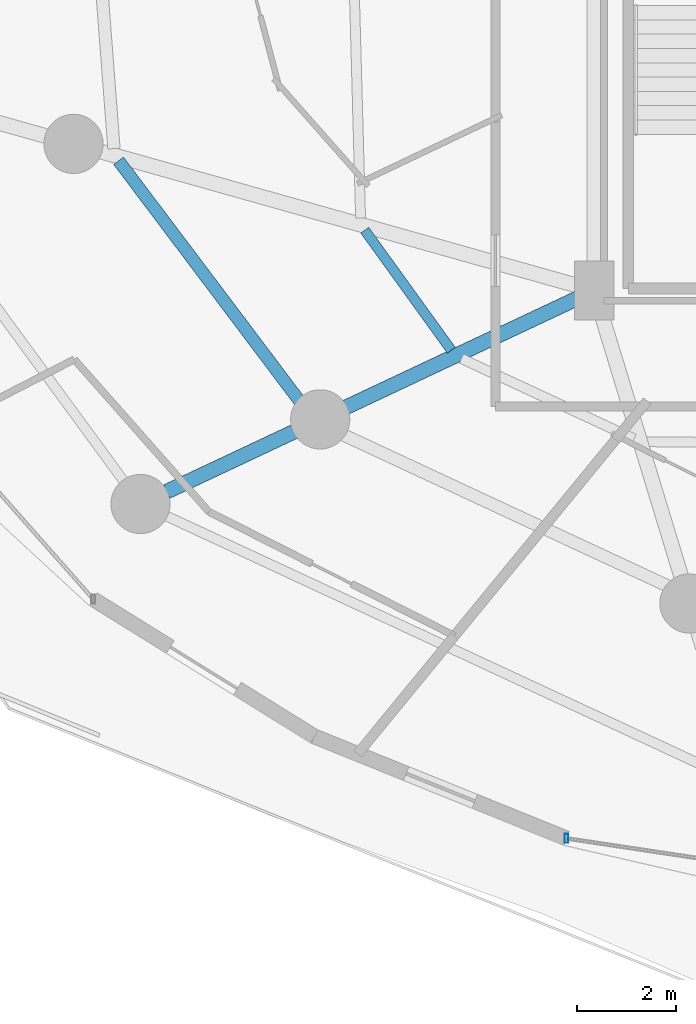
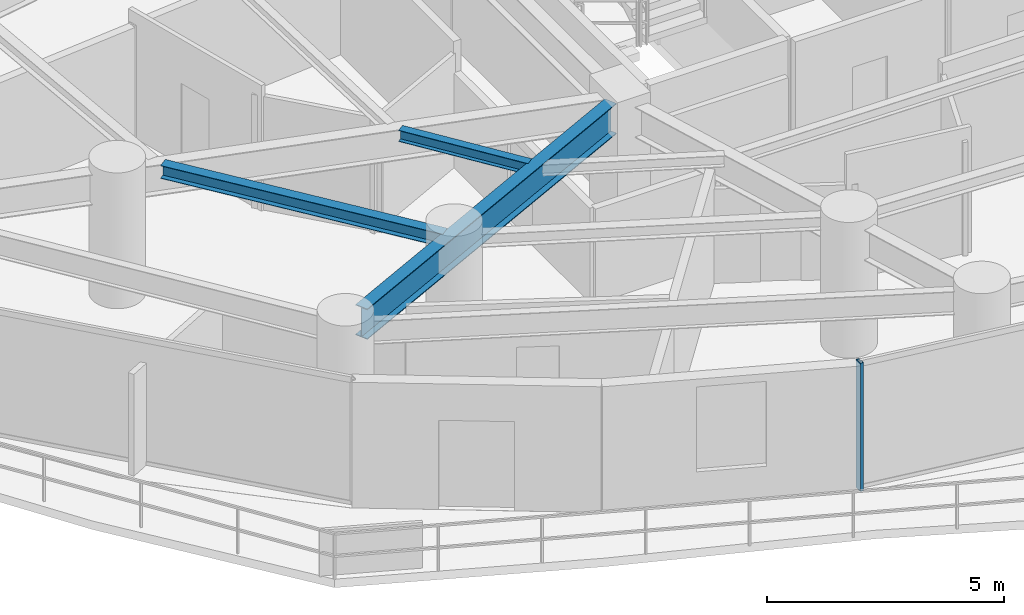
# One storey, part 4 of 30: 3 beams, 1 member, 1 element without a shape of its own.
"""IFC4 building model written with IfcOpenShell, lengths in metres."""

from ifc_helpers import new_model, si_unit, direction, frame, origin, origin_2d, place, context, subcontext, project, spatial, hollow_rectangle, i_section, extrude, material, material_profile, profile_set, type_object, element, aggregate, save


model = new_model("IFC4")

# Units and contexts
model_context = context("Model", 3, precision=1e-05, world=origin(), true_north=direction((0.0, 1.0)))
body_context = subcontext(model_context, "Body", "Model", "MODEL_VIEW")
ifc_project = project(units=[si_unit("LENGTHUNIT", "METRE"), si_unit("AREAUNIT", "SQUARE_METRE"), si_unit("VOLUMEUNIT", "CUBIC_METRE"), si_unit("PLANEANGLEUNIT", "RADIAN"), si_unit("MASSUNIT", "GRAM", prefix="KILO")], contexts=[model_context])

# Site, building, storey
site_placement = place(None, origin())
site = spatial("IfcSite", under=ifc_project, at=site_placement, CompositionType="ELEMENT")
building_placement = place(site_placement, origin())
building = spatial("IfcBuilding", under=site, at=building_placement, Name="Vorneva Point Tower", CompositionType="ELEMENT")
storey_placement = place(building_placement, frame((0.0, 0.0, 55.5)))
storey = spatial("IfcBuildingStorey", under=building, at=storey_placement, Name="L14", CompositionType="ELEMENT", Elevation=55.5)

# Beams
ifc_material_1 = material(Name="Steel S355", Category="steel")
ifc_material_profile_1 = material_profile(ifc_material_1, i_section(OverallWidth=0.300048828125, OverallDepth=0.7880859375, WebThickness=0.014404296875, FlangeThickness=0.02197265625, at=origin_2d()), Name="80Sh1")
ifc_profile_set_1 = profile_set([ifc_material_profile_1], Name="Steel S355")
beam_type_1 = type_object("IfcBeamType", Name="BM-GRD-80Sh1", PredefinedType="USERDEFINED", material=ifc_profile_set_1)
beam_1_placement = place(storey_placement, frame((18.59326171875, 12.37451171875, 2.845947265625), z_axis=(0.904749139553, 0.425944825627, 0.0), x_axis=(-0.425944825627, 0.904749139553, 0.0)))
element("IfcBeam", 1, at=beam_1_placement, inside=storey, type_object=beam_type_1, Name="L14 Radial Primary Girder 11", ObjectType="GIRDER", PredefinedType="USERDEFINED", context=body_context, shape_type="SweptSolid", body=[
    extrude(i_section(OverallWidth=0.300048828125, OverallDepth=0.7880859375, WebThickness=0.014404296875, FlangeThickness=0.02197265625, at=origin_2d()), origin(), (0.0, 0.0, 1.0), 9.22802734375),
])
ifc_material_profile_2 = material_profile(ifc_material_1, i_section(OverallWidth=0.199951171875, OverallDepth=0.291015625, WebThickness=0.008056640625, FlangeThickness=0.010986328125, at=origin_2d()), Name="30Sh1")
ifc_profile_set_2 = profile_set([ifc_material_profile_2], Name="Steel S355")
beam_type_2 = type_object("IfcBeamType", Name="BM-SEC-30Sh1", PredefinedType="BEAM", material=ifc_profile_set_2)
beam_2_placement = place(storey_placement, frame((22.602783203125, 17.668701171875, 3.094482421875), z_axis=(0.585160442386, -0.810917539992, 0.0), x_axis=(0.810917539992, 0.585160442386, 0.0)))
element("IfcBeam", 2, at=beam_2_placement, inside=storey, type_object=beam_type_2, Name="L14 Secondary Floor Beam 2.10", PredefinedType="BEAM", context=body_context, shape_type="SweptSolid", body=[
    extrude(i_section(OverallWidth=0.199951171875, OverallDepth=0.291015625, WebThickness=0.008056640625, FlangeThickness=0.010986328125, at=origin_2d()), origin(), (0.0, 0.0, 1.0), 2.997802734375),
])
ifc_material_profile_3 = material_profile(ifc_material_1, i_section(OverallWidth=0.2490234375, OverallDepth=0.333984375, WebThickness=0.008056640625, FlangeThickness=0.010986328125, at=origin_2d()), Name="35Sh1")
ifc_profile_set_3 = profile_set([ifc_material_profile_3], Name="Steel S355")
beam_type_3 = type_object("IfcBeamType", Name="BM-SEC-35Sh1", PredefinedType="BEAM", material=ifc_profile_set_3)
beam_3_placement = place(storey_placement, frame((17.617919921875, 19.073974609375, 3.072998046875), z_axis=(0.601717161412, -0.798709244758, 0.0), x_axis=(0.798709244758, 0.601717161412, 0.0)))
element("IfcBeam", 3, at=beam_3_placement, inside=storey, type_object=beam_type_3, Name="L14 Secondary Floor Beam 1.10", PredefinedType="BEAM", context=body_context, shape_type="SweptSolid", body=[
    extrude(i_section(OverallWidth=0.2490234375, OverallDepth=0.333984375, WebThickness=0.008056640625, FlangeThickness=0.010986328125, at=origin_2d()), origin(), (0.0, 0.0, 1.0), 6.47802734375),
])

# Curtain wall, member
ifc_material_2 = material(Name="Pale anodised aluminium", Category="aluminium")
curtain_wall_type = type_object("IfcCurtainWallType", Name="CW-HTL-SYS", PredefinedType="NOTDEFINED", material=ifc_material_2)
curtain_wall_placement = place(storey_placement, origin())
curtain_wall = element("IfcCurtainWall", 4, at=curtain_wall_placement, inside=storey, type_object=curtain_wall_type, Name="L14 Unitised Curtain Wall CW-L14-R04", PredefinedType="NOTDEFINED")
ifc_material_profile_4 = material_profile(ifc_material_2, hollow_rectangle(XDim=0.074951171875, YDim=0.179931640625, WallThickness=0.00390625, at=origin_2d()), Name="AL-MUL 180x75x4")
ifc_profile_set_4 = profile_set([ifc_material_profile_4], Name="Pale anodised aluminium")
member_type = type_object("IfcMemberType", Name="CW-MUL-180", PredefinedType="MULLION", material=ifc_profile_set_4)
member_placement = place(storey_placement, frame((26.691650390625, 5.351318359375, -0.0400390625), z_axis=(0.0, 0.0, 1.0), x_axis=(1.0, 0.0, 0.0)))
member = element("IfcMember", 5, at=member_placement, type_object=member_type, Name="CW-L14-R04 Mullion 01", PredefinedType="MULLION", context=body_context, shape_type="SweptSolid", body=[
    extrude(hollow_rectangle(XDim=0.074951171875, YDim=0.179931640625, WallThickness=0.00390625, at=origin_2d()), origin(), (0.0, 0.0, 1.0), 3.31005859375),
])
aggregate(curtain_wall, [member])

save(model, "model.ifc")
